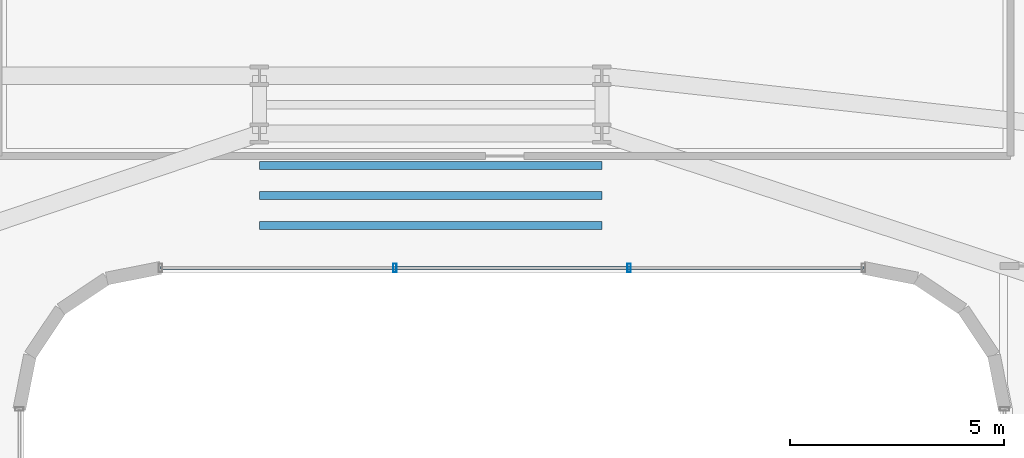
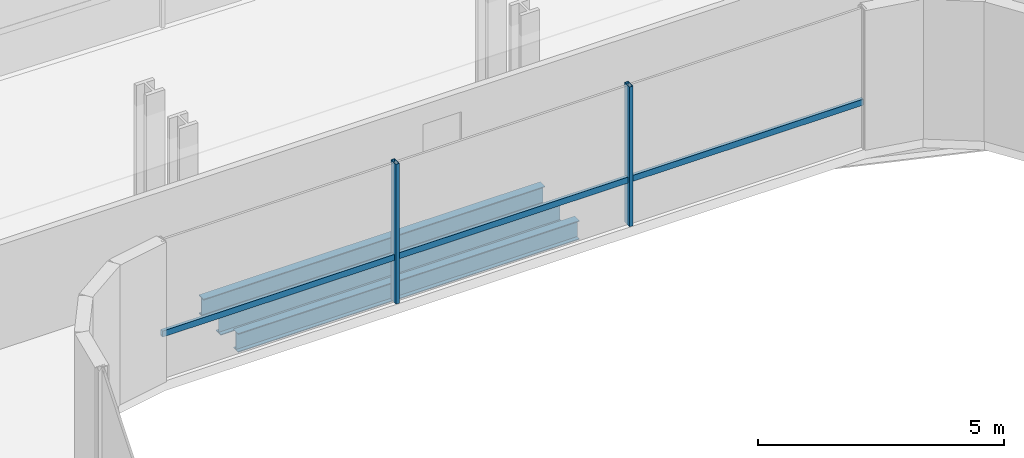
# One storey, part 14 of 39: 3 beams, 3 members, 1 element without a shape of its own.
"""IFC4 building model written with IfcOpenShell, lengths in metres."""

from ifc_helpers import new_model, si_unit, direction, frame, origin, origin_2d, place, context, subcontext, project, spatial, hollow_rectangle, i_section, extrude, source, transform, mapped, material, material_profile, profile_set, type_object, element, aggregate, save


model = new_model("IFC4")

# Units and contexts
model_context = context("Model", 3, precision=1e-05, world=origin(), true_north=direction((0.0, 1.0)))
body_context = subcontext(model_context, "Body", "Model", "MODEL_VIEW")
ifc_project = project(units=[si_unit("LENGTHUNIT", "METRE"), si_unit("AREAUNIT", "SQUARE_METRE"), si_unit("VOLUMEUNIT", "CUBIC_METRE"), si_unit("PLANEANGLEUNIT", "RADIAN"), si_unit("MASSUNIT", "GRAM", prefix="KILO")], contexts=[model_context])

# Site, building, storey
site_placement = place(None, origin())
site = spatial("IfcSite", under=ifc_project, at=site_placement, CompositionType="ELEMENT")
building_placement = place(site_placement, origin())
building = spatial("IfcBuilding", under=site, at=building_placement, Name="Valdorenza Pilgrim Sanctuary Tower", CompositionType="ELEMENT")
storey_placement = place(building_placement, frame((0.0, 0.0, 74.10009765625)))
storey = spatial("IfcBuildingStorey", under=building, at=storey_placement, Name="L18", CompositionType="ELEMENT", Elevation=74.10009765625)

# Beams
ifc_material_1 = material(Name="Steel ASTM A992 Grade 50", Category="steel")
ifc_material_profile_1 = material_profile(ifc_material_1, i_section(OverallWidth=0.193115234375, OverallDepth=0.466064453125, WebThickness=0.011474609375, FlangeThickness=0.01904296875, at=origin_2d()), Name="W18X65")
ifc_profile_set_1 = profile_set([ifc_material_profile_1], Name="Steel ASTM A992 Grade 50")
beam_type = type_object("IfcBeamType", Name="STR-BM-JST-W18A", PredefinedType="JOIST", material=ifc_profile_set_1)
shared_shape_1 = source(origin(), body_context, "Body", "SweptSolid", [
    extrude(i_section(OverallWidth=0.193115234375, OverallDepth=0.466064453125, WebThickness=0.011474609375, FlangeThickness=0.01904296875, at=origin_2d()), origin(), (0.0, 0.0, 1.0), 8.0),
])
for number, where, z_axis, x_axis, name in (
    (1, (-4.0, 11.300048828125, -0.47314453125), (1.0, 0.0, 0.0), (0.0, 1.0, 0.0), "L18 Knuckle Composite Joist JST-KNK-1"),
    (2, (-4.0, 12.0, -0.47314453125), (1.0, 0.0, 0.0), (0.0, 1.0, 0.0), "L18 Knuckle Composite Joist JST-KNK-2"),
    (3, (-4.0, 12.699951171875, -0.47314453125), (1.0, 0.0, 0.0), (0.0, 1.0, 0.0), "L18 Knuckle Composite Joist JST-KNK-3"),
):
    element("IfcBeam", number, at=place(storey_placement, frame(where, z_axis=z_axis, x_axis=x_axis)), inside=storey, type_object=beam_type, Name=name, PredefinedType="JOIST", context=body_context, shape_type="MappedRepresentation", body=[
        mapped(shared_shape_1, transform((0.0, 0.0, 0.0), x_axis=(1.0, 0.0, 0.0), y_axis=(0.0, 1.0, 0.0), z_axis=(0.0, 0.0, 1.0), scale=1.0)),
    ])

# Curtain wall, members
ifc_material_2 = material(Name="Curtain-wall IGU glazing", Category="glass")
curtain_wall_type = type_object("IfcCurtainWallType", Name="CW-SYS-02", PredefinedType="NOTDEFINED", material=ifc_material_2)
curtain_wall_placement = place(storey_placement, origin())
curtain_wall = element("IfcCurtainWall", 4, at=curtain_wall_placement, inside=storey, type_object=curtain_wall_type, Name="L18 Curtain Wall CW-L18-1-36", PredefinedType="NOTDEFINED")
ifc_material_3 = material(Name="Anodised aluminium AW-6060", Category="aluminium")
ifc_material_profile_2 = material_profile(ifc_material_3, hollow_rectangle(XDim=0.0849609375, YDim=0.199951171875, WallThickness=0.0048828125, at=origin_2d()), Name="ALU-M 200x85x5")
ifc_profile_set_2 = profile_set([ifc_material_profile_2], Name="Anodised aluminium AW-6060")
member_type_1 = type_object("IfcMemberType", Name="CW-MUL-02", PredefinedType="MULLION", material=ifc_profile_set_2)
shared_shape_2 = source(origin(), body_context, "Body", "SweptSolid", [
    extrude(hollow_rectangle(XDim=0.0849609375, YDim=0.199951171875, WallThickness=0.0048828125, at=origin_2d()), origin(), (0.0, 0.0, 1.0), 3.4599609375),
])
member_1_placement = place(storey_placement, frame((4.636962890625, 10.31005859375, 0.0), z_axis=(0.0, 0.0, 1.0), x_axis=(-1.0, 0.0, 0.0)))
member_1 = element("IfcMember", 5, at=member_1_placement, type_object=member_type_1, Name="CW-L18-1-36 Mullion 2", PredefinedType="MULLION", context=body_context, shape_type="MappedRepresentation", body=[
    mapped(shared_shape_2, transform((0.0, 0.0, 0.0), x_axis=(1.0, 0.0, 0.0), y_axis=(0.0, 1.0, 0.0), z_axis=(0.0, 0.0, 1.0), scale=1.0)),
])
member_2_placement = place(storey_placement, frame((-0.8369140625, 10.31005859375, 0.0), z_axis=(0.0, 0.0, 1.0), x_axis=(-1.0, 0.0, 0.0)))
member_2 = element("IfcMember", 6, at=member_2_placement, type_object=member_type_1, Name="CW-L18-1-36 Mullion 3", PredefinedType="MULLION", context=body_context, shape_type="MappedRepresentation", body=[
    mapped(shared_shape_2, transform((0.0, 0.0, 0.0), x_axis=(1.0, 0.0, 0.0), y_axis=(0.0, 1.0, 0.0), z_axis=(0.0, 0.0, 1.0), scale=1.0)),
])
ifc_material_profile_3 = material_profile(ifc_material_3, hollow_rectangle(XDim=0.074951171875, YDim=0.14990234375, WallThickness=0.00390625, at=origin_2d()), Name="ALU-T 150x75x4")
ifc_profile_set_3 = profile_set([ifc_material_profile_3], Name="Anodised aluminium AW-6060")
member_type_2 = type_object("IfcMemberType", Name="CW-TRN-02", PredefinedType="USERDEFINED", material=ifc_profile_set_3)
shared_shape_3 = source(origin(), body_context, "Body", "SweptSolid", [
    extrude(hollow_rectangle(XDim=0.074951171875, YDim=0.14990234375, WallThickness=0.00390625, at=origin_2d()), origin(), (0.0, 0.0, 1.0), 16.421630859375),
])
member_3_placement = place(storey_placement, frame((10.11083984375, 10.31005859375, 1.119873046875), z_axis=(-1.0, 0.0, 0.0), x_axis=(0.0, -1.0, 0.0)))
member_3 = element("IfcMember", 7, at=member_3_placement, type_object=member_type_2, Name="CW-L18-1-36 Transom 1", ObjectType="TRANSOM", PredefinedType="USERDEFINED", context=body_context, shape_type="MappedRepresentation", body=[
    mapped(shared_shape_3, transform((0.0, 0.0, 0.0), x_axis=(1.0, 0.0, 0.0), y_axis=(0.0, 1.0, 0.0), z_axis=(0.0, 0.0, 1.0), scale=1.0)),
])
aggregate(curtain_wall, [member_1, member_2, member_3])

save(model, "model.ifc")
